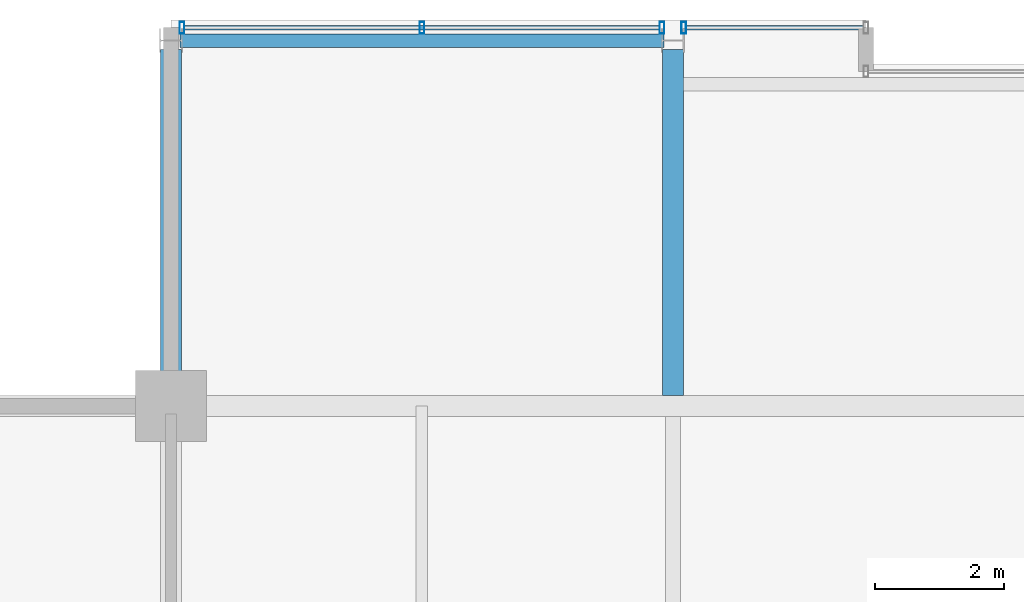
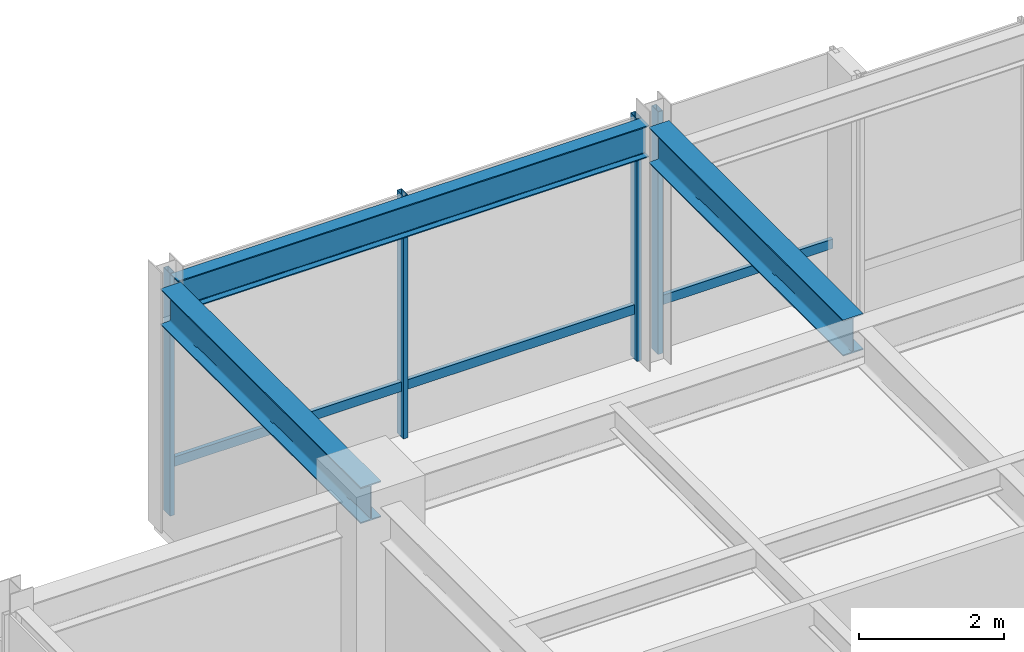
# One storey, part 22 of 34: 6 members, 3 beams, 2 elements without a shape of their own.
"""IFC4 building model written with IfcOpenShell, lengths in metres."""

from ifc_helpers import new_model, si_unit, direction, frame, origin, origin_2d, place, context, subcontext, project, spatial, hollow_rectangle, i_section, extrude, material, layer, layer_set, material_profile, profile_set, type_object, element, aggregate, save


model = new_model("IFC4")

# Units and contexts
model_context = context("Model", 3, precision=1e-05, world=origin(), true_north=direction((0.0, 1.0)))
body_context = subcontext(model_context, "Body", "Model", "MODEL_VIEW")
ifc_project = project(units=[si_unit("LENGTHUNIT", "METRE"), si_unit("AREAUNIT", "SQUARE_METRE"), si_unit("VOLUMEUNIT", "CUBIC_METRE"), si_unit("PLANEANGLEUNIT", "RADIAN"), si_unit("MASSUNIT", "GRAM", prefix="KILO")], contexts=[model_context])

# Site, building, storey
site_placement = place(None, origin())
site = spatial("IfcSite", under=ifc_project, at=site_placement, CompositionType="ELEMENT")
building_placement = place(site_placement, origin())
building = spatial("IfcBuilding", under=site, at=building_placement, Name="Drelvath Grand Hotel", CompositionType="ELEMENT")
storey_placement = place(building_placement, frame((0.0, 0.0, 294.199951171875)))
storey = spatial("IfcBuildingStorey", under=building, at=storey_placement, Name="L77", CompositionType="ELEMENT", Elevation=294.199951171875)

# Curtain wall, member
ifc_material_1 = material(Name="Platinum-Mist Anodised Aluminium Frame", Category="aluminium")
ifc_layer = layer(ifc_material_1, 0.199951171875)
ifc_layer_set = layer_set([ifc_layer], Name="Platinum-Mist Anodised Aluminium Frame")
curtain_wall_type = type_object("IfcCurtainWallType", Name="Stick Curtain Wall CW-05 Platinum Mist High-Rise", PredefinedType="NOTDEFINED", material=ifc_layer_set)
curtain_wall_1_placement = place(storey_placement, origin())
curtain_wall_1 = element("IfcCurtainWall", 1, at=curtain_wall_1_placement, inside=storey, type_object=curtain_wall_type, Name="L77 CW-05 Curtain Wall CW05-L77-NW1", PredefinedType="NOTDEFINED")
ifc_material_profile_1 = material_profile(ifc_material_1, hollow_rectangle(XDim=0.06494140625, YDim=0.159912109375, WallThickness=0.00390625, at=origin_2d()), Name="HSS160X65X4")
ifc_profile_set_1 = profile_set([ifc_material_profile_1], Name="Platinum-Mist Anodised Aluminium Frame")
member_type_1 = type_object("IfcMemberType", Name="Curtain Wall Horizontal Transom CW-05 HSS160X65X4", PredefinedType="USERDEFINED", material=ifc_profile_set_1)
member_1_placement = place(storey_placement, frame((-15.989990234375, 49.080078125, 0.85009765625), z_axis=(1.0, 0.0, 0.0), x_axis=(0.0, 1.0, 0.0)))
member_1 = element("IfcMember", 2, at=member_1_placement, type_object=member_type_1, Name="CW05-L77-NW1 Sill Transom", ObjectType="TRANSOM", PredefinedType="USERDEFINED", context=body_context, shape_type="SweptSolid", body=[
    extrude(hollow_rectangle(XDim=0.06494140625, YDim=0.159912109375, WallThickness=0.00390625, at=origin_2d()), origin(), (0.0, 0.0, 1.0), 7.3798828125),
])

curtain_wall_2_placement = place(storey_placement, origin())
curtain_wall_2 = element("IfcCurtainWall", 3, at=curtain_wall_2_placement, inside=storey, type_object=curtain_wall_type, Name="L77 CW-05 Curtain Wall CW05-L77-NW2", PredefinedType="NOTDEFINED")
member_2_placement = place(storey_placement, frame((-8.18994140625, 49.080078125, 0.85009765625), z_axis=(1.0, 0.0, 0.0), x_axis=(0.0, 1.0, 0.0)))
member_2 = element("IfcMember", 4, at=member_2_placement, type_object=member_type_1, Name="CW05-L77-NW2 Sill Transom", ObjectType="TRANSOM", PredefinedType="USERDEFINED", context=body_context, shape_type="SweptSolid", body=[
    extrude(hollow_rectangle(XDim=0.06494140625, YDim=0.159912109375, WallThickness=0.00390625, at=origin_2d()), origin(), (0.0, 0.0, 1.0), 2.75),
])

# Member
ifc_material_profile_2 = material_profile(ifc_material_1, hollow_rectangle(XDim=0.074951171875, YDim=0.179931640625, WallThickness=0.0048828125, at=origin_2d()), Name="HSS180X75X5")
ifc_profile_set_2 = profile_set([ifc_material_profile_2], Name="Platinum-Mist Anodised Aluminium Frame")
member_type_2 = type_object("IfcMemberType", Name="Curtain Wall Vertical Mullion CW-05 HSS180X75X5", PredefinedType="MULLION", material=ifc_profile_set_2)
member_3_placement = place(storey_placement, frame((-16.02978515625, 49.080078125, 0.0), z_axis=(0.0, 0.0, 1.0), x_axis=(1.0, 0.0, 0.0)))
member_3 = element("IfcMember", 5, at=member_3_placement, type_object=member_type_2, Name="CW05-L77-NW1 Mullion 1", PredefinedType="MULLION", context=body_context, shape_type="SweptSolid", body=[
    extrude(hollow_rectangle(XDim=0.074951171875, YDim=0.179931640625, WallThickness=0.0048828125, at=origin_2d()), origin(), (0.0, 0.0, 1.0), 4.10009765625),
])

member_4_placement = place(storey_placement, frame((-12.300048828125, 49.080078125, 0.0), z_axis=(0.0, 0.0, 1.0), x_axis=(1.0, 0.0, 0.0)))
member_4 = element("IfcMember", 6, at=member_4_placement, type_object=member_type_2, Name="CW05-L77-NW1 Mullion 2", PredefinedType="MULLION", context=body_context, shape_type="SweptSolid", body=[
    extrude(hollow_rectangle(XDim=0.074951171875, YDim=0.179931640625, WallThickness=0.0048828125, at=origin_2d()), origin(), (0.0, 0.0, 1.0), 4.10009765625),
])

member_5_placement = place(storey_placement, frame((-8.570068359375, 49.080078125, 0.0), z_axis=(0.0, 0.0, 1.0), x_axis=(1.0, 0.0, 0.0)))
member_5 = element("IfcMember", 7, at=member_5_placement, type_object=member_type_2, Name="CW05-L77-NW1 Mullion 3", PredefinedType="MULLION", context=body_context, shape_type="SweptSolid", body=[
    extrude(hollow_rectangle(XDim=0.074951171875, YDim=0.179931640625, WallThickness=0.0048828125, at=origin_2d()), origin(), (0.0, 0.0, 1.0), 4.10009765625),
])

aggregate(curtain_wall_1, [member_3, member_4, member_5, member_1])

member_6_placement = place(storey_placement, frame((-8.22998046875, 49.080078125, 0.0), z_axis=(0.0, 0.0, 1.0), x_axis=(1.0, 0.0, 0.0)))
member_6 = element("IfcMember", 8, at=member_6_placement, type_object=member_type_2, Name="CW05-L77-NW2 Mullion 1", PredefinedType="MULLION", context=body_context, shape_type="SweptSolid", body=[
    extrude(hollow_rectangle(XDim=0.074951171875, YDim=0.179931640625, WallThickness=0.0048828125, at=origin_2d()), origin(), (0.0, 0.0, 1.0), 4.10009765625),
])

aggregate(curtain_wall_2, [member_6, member_2])

# Beams
ifc_material_2 = material(Name="Steel ASTM A992 Gr 50", Category="steel")
ifc_material_profile_3 = material_profile(ifc_material_2, i_section(OverallWidth=0.210205078125, OverallDepth=0.53662109375, WebThickness=0.010986328125, FlangeThickness=0.017333984375, FilletRadius=0.01806640625, at=origin_2d()), Name="W21X68")
ifc_profile_set_3 = profile_set([ifc_material_profile_3], Name="Steel ASTM A992 Gr 50")
beam_type_1 = type_object("IfcBeamType", Name="Perimeter Spandrel Beam W21X68", PredefinedType="SPANDREL", material=ifc_profile_set_3)
beam_1_placement = place(storey_placement, frame((-16.06005859375, 48.8798828125, 3.831787109375), z_axis=(1.0, 0.0, 0.0), x_axis=(0.0, 1.0, 0.0)))
element("IfcBeam", 9, at=beam_1_placement, inside=storey, type_object=beam_type_1, Name="L77 Spandrel North W", PredefinedType="SPANDREL", context=body_context, shape_type="SweptSolid", body=[
    extrude(i_section(OverallWidth=0.210205078125, OverallDepth=0.53662109375, WebThickness=0.010986328125, FlangeThickness=0.017333984375, FilletRadius=0.01806640625, at=origin_2d()), origin(), (0.0, 0.0, 1.0), 7.52001953125),
])
ifc_material_profile_4 = material_profile(ifc_material_2, i_section(OverallWidth=0.323974609375, OverallDepth=0.611083984375, WebThickness=0.0126953125, FlangeThickness=0.01904296875, FilletRadius=0.02197265625, at=origin_2d()), Name="W24X104")
ifc_profile_set_4 = profile_set([ifc_material_profile_4], Name="Steel ASTM A992 Gr 50")
beam_type_2 = type_object("IfcBeamType", Name="Primary Floor Girder W24X104", PredefinedType="BEAM", material=ifc_profile_set_4)
beam_2_placement = place(storey_placement, frame((-16.199951171875, 43.199951171875, 3.79443359375), z_axis=(0.0, 1.0, 0.0), x_axis=(-1.0, 0.0, 0.0)))
element("IfcBeam", 10, at=beam_2_placement, inside=storey, type_object=beam_type_2, Name="L77 North Grid Girder 3", PredefinedType="BEAM", context=body_context, shape_type="SweptSolid", body=[
    extrude(i_section(OverallWidth=0.323974609375, OverallDepth=0.611083984375, WebThickness=0.0126953125, FlangeThickness=0.01904296875, FilletRadius=0.02197265625, at=origin_2d()), origin(), (0.0, 0.0, 1.0), 5.5400390625),
])
beam_3_placement = place(storey_placement, frame((-8.39990234375, 43.362060546875, 3.79443359375), z_axis=(0.0, 1.0, 0.0), x_axis=(-1.0, 0.0, 0.0)))
element("IfcBeam", 11, at=beam_3_placement, inside=storey, type_object=beam_type_2, Name="L77 North Wing Girder 4", PredefinedType="BEAM", context=body_context, shape_type="SweptSolid", body=[
    extrude(i_section(OverallWidth=0.323974609375, OverallDepth=0.611083984375, WebThickness=0.0126953125, FlangeThickness=0.01904296875, FilletRadius=0.02197265625, at=origin_2d()), origin(), (0.0, 0.0, 1.0), 5.3779296875),
])

save(model, "model.ifc")
